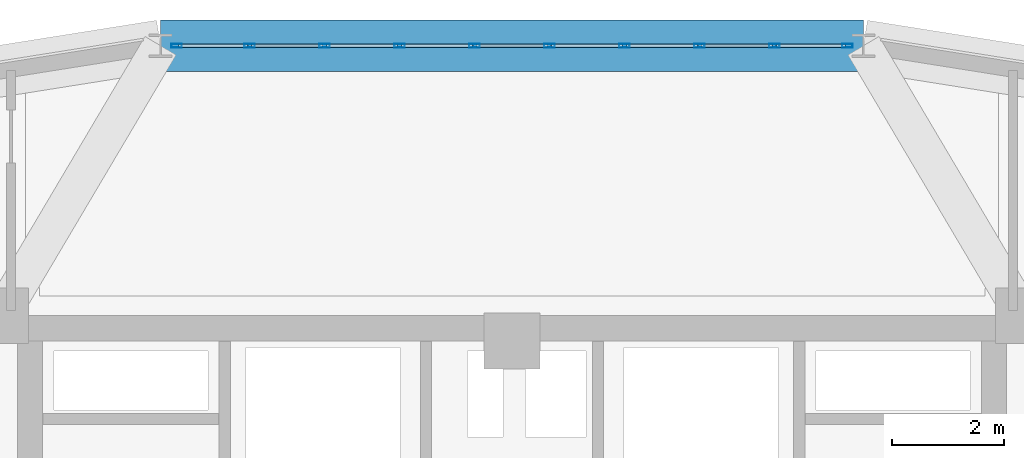
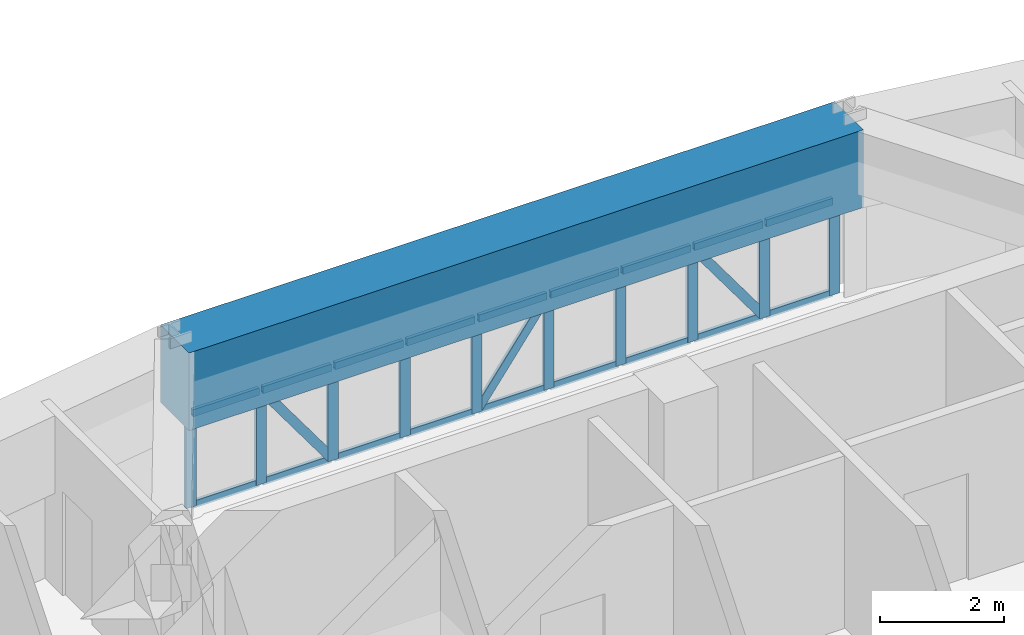
# One storey, part 8 of 13: 31 members, 1 beam, 1 element without a shape of its own.
"""IFC4 building model written with IfcOpenShell, lengths in metres."""

from ifc_helpers import new_model, si_unit, derived_unit, direction, frame, origin, origin_2d, place, context, subcontext, project, spatial, rectangle, hollow_rectangle, extrude, source, transform, mapped, material, layer, layer_set, material_profile, profile_set, type_object, element, aggregate, save


model = new_model("IFC4")

# Units and contexts
model_context = context("Model", 3, precision=1e-05, world=origin(), true_north=direction((0.0, 1.0)))
body_context = subcontext(model_context, "Body", "Model", "MODEL_VIEW")
ifc_project = project(units=[si_unit("LENGTHUNIT", "METRE"), si_unit("AREAUNIT", "SQUARE_METRE"), si_unit("VOLUMEUNIT", "CUBIC_METRE"), si_unit("PLANEANGLEUNIT", "RADIAN"), si_unit("MASSUNIT", "GRAM", prefix="KILO"), derived_unit("THERMALTRANSMITTANCEUNIT", [(si_unit("POWERUNIT", "WATT"), 1), (si_unit("LENGTHUNIT", "METRE"), -2), (si_unit("THERMODYNAMICTEMPERATUREUNIT", "KELVIN"), -1)])], contexts=[model_context])

# Site, building, storey
site_placement = place(None, origin())
site = spatial("IfcSite", under=ifc_project, at=site_placement, CompositionType="ELEMENT")
building_placement = place(site_placement, origin())
building = spatial("IfcBuilding", under=site, at=building_placement, Name="Korsvarv Bourse and Concert Hall", CompositionType="ELEMENT")
storey_placement = place(building_placement, frame((0.0, 0.0, 179.39990234375)))
storey = spatial("IfcBuildingStorey", under=building, at=storey_placement, Name="L46", CompositionType="ELEMENT", Elevation=179.39990234375)

# Beam
ifc_material_1 = material(Name="Concrete C50/60", Category="concrete")
ifc_material_profile_1 = material_profile(ifc_material_1, rectangle(XDim=0.919921875, YDim=1.530029296875, at=origin_2d()), Name="RC-BM 920x1530")
ifc_profile_set_1 = profile_set([ifc_material_profile_1], Name="Concrete C50/60")
beam_type = type_object("IfcBeamType", Name="BM-TR-154", PredefinedType="BEAM", material=ifc_profile_set_1)
shared_shape_1 = source(origin(), body_context, "Body", "SweptSolid", [
    extrude(rectangle(XDim=0.919921875, YDim=1.530029296875, at=origin_2d()), origin(), (0.0, 0.0, 1.0), 12.57861328125),
])
beam_placement = place(storey_placement, frame((42.289306640625, 52.082275390625, 2.635009765625), z_axis=(-1.0, 0.0, 0.0), x_axis=(0.0, -1.0, 0.0)))
element("IfcBeam", 1, at=beam_placement, inside=storey, type_object=beam_type, Name="L46 beam B-TR6", PredefinedType="BEAM", context=body_context, shape_type="MappedRepresentation", body=[
    mapped(shared_shape_1, transform((0.0, 0.0, 0.0), scale=1.0)),
])

# Curtain wall, members
ifc_material_2 = material(Name="Anodised aluminium and triple low-E glazing", Category="glass")
ifc_layer = layer(ifc_material_2, 0.199951171875)
ifc_layer_set = layer_set([ifc_layer], Name="Anodised aluminium and triple low-E glazing")
curtain_wall_type = type_object("IfcCurtainWallType", Name="CW-SYS-3", PredefinedType="NOTDEFINED", material=ifc_layer_set)
curtain_wall_placement = place(storey_placement, origin())
curtain_wall = element("IfcCurtainWall", 2, at=curtain_wall_placement, inside=storey, type_object=curtain_wall_type, Name="L46 CW3 curtain wall CW-L46-F03", PredefinedType="NOTDEFINED")
ifc_material_3 = material(Name="Extruded aluminium EN AW-6063 T66", Category="aluminium")
ifc_material_profile_2 = material_profile(ifc_material_3, hollow_rectangle(XDim=0.070068359375, YDim=0.18994140625, WallThickness=0.0048828125, at=origin_2d()), Name="ALU-M 70x190")
ifc_profile_set_2 = profile_set([ifc_material_profile_2], Name="Extruded aluminium EN AW-6063 T66")
member_type_1 = type_object("IfcMemberType", Name="CWM-190", PredefinedType="MULLION", material=ifc_profile_set_2)
shared_shape_2 = source(origin(), body_context, "Body", "SweptSolid", [
    extrude(hollow_rectangle(XDim=0.070068359375, YDim=0.18994140625, WallThickness=0.0048828125, at=origin_2d()), origin(), (0.0, 0.0, 1.0), 1.8701171875),
])
member_1_placement = place(storey_placement, frame((42.001220703125, 52.082275390625, 0.0), z_axis=(0.0, 0.0, 1.0), x_axis=(0.0, -1.0, 0.0)))
member_1 = element("IfcMember", 3, at=member_1_placement, type_object=member_type_1, Name="CW3 mullion 1", PredefinedType="MULLION", context=body_context, shape_type="MappedRepresentation", body=[
    mapped(shared_shape_2, transform((0.0, 0.0, 0.0), scale=1.0)),
])
member_2_placement = place(storey_placement, frame((40.69482421875, 52.082275390625, 0.0), z_axis=(0.0, 0.0, 1.0), x_axis=(0.0, -1.0, 0.0)))
member_2 = element("IfcMember", 4, at=member_2_placement, type_object=member_type_1, Name="CW3 mullion 2", PredefinedType="MULLION", context=body_context, shape_type="MappedRepresentation", body=[
    mapped(shared_shape_2, transform((0.0, 0.0, 0.0), scale=1.0)),
])
member_3_placement = place(storey_placement, frame((39.353515625, 52.082275390625, 0.0), z_axis=(0.0, 0.0, 1.0), x_axis=(0.0, -1.0, 0.0)))
member_3 = element("IfcMember", 5, at=member_3_placement, type_object=member_type_1, Name="CW3 mullion 3", PredefinedType="MULLION", context=body_context, shape_type="MappedRepresentation", body=[
    mapped(shared_shape_2, transform((0.0, 0.0, 0.0), scale=1.0)),
])
member_4_placement = place(storey_placement, frame((38.01220703125, 52.082275390625, 0.0), z_axis=(0.0, 0.0, 1.0), x_axis=(0.0, -1.0, 0.0)))
member_4 = element("IfcMember", 6, at=member_4_placement, type_object=member_type_1, Name="CW3 mullion 4", PredefinedType="MULLION", context=body_context, shape_type="MappedRepresentation", body=[
    mapped(shared_shape_2, transform((0.0, 0.0, 0.0), scale=1.0)),
])
member_5_placement = place(storey_placement, frame((36.670654296875, 52.082275390625, 0.0), z_axis=(0.0, 0.0, 1.0), x_axis=(0.0, -1.0, 0.0)))
member_5 = element("IfcMember", 7, at=member_5_placement, type_object=member_type_1, Name="CW3 mullion 5", PredefinedType="MULLION", context=body_context, shape_type="MappedRepresentation", body=[
    mapped(shared_shape_2, transform((0.0, 0.0, 0.0), scale=1.0)),
])
member_6_placement = place(storey_placement, frame((35.329345703125, 52.082275390625, 0.0), z_axis=(0.0, 0.0, 1.0), x_axis=(0.0, -1.0, 0.0)))
member_6 = element("IfcMember", 8, at=member_6_placement, type_object=member_type_1, Name="CW3 mullion 6", PredefinedType="MULLION", context=body_context, shape_type="MappedRepresentation", body=[
    mapped(shared_shape_2, transform((0.0, 0.0, 0.0), scale=1.0)),
])
member_7_placement = place(storey_placement, frame((33.98779296875, 52.082275390625, 0.0), z_axis=(0.0, 0.0, 1.0), x_axis=(0.0, -1.0, 0.0)))
member_7 = element("IfcMember", 9, at=member_7_placement, type_object=member_type_1, Name="CW3 mullion 7", PredefinedType="MULLION", context=body_context, shape_type="MappedRepresentation", body=[
    mapped(shared_shape_2, transform((0.0, 0.0, 0.0), scale=1.0)),
])
member_8_placement = place(storey_placement, frame((32.646484375, 52.082275390625, 0.0), z_axis=(0.0, 0.0, 1.0), x_axis=(0.0, -1.0, 0.0)))
member_8 = element("IfcMember", 10, at=member_8_placement, type_object=member_type_1, Name="CW3 mullion 8", PredefinedType="MULLION", context=body_context, shape_type="MappedRepresentation", body=[
    mapped(shared_shape_2, transform((0.0, 0.0, 0.0), scale=1.0)),
])
member_9_placement = place(storey_placement, frame((31.30517578125, 52.082275390625, 0.0), z_axis=(0.0, 0.0, 1.0), x_axis=(0.0, -1.0, 0.0)))
member_9 = element("IfcMember", 11, at=member_9_placement, type_object=member_type_1, Name="CW3 mullion 9", PredefinedType="MULLION", context=body_context, shape_type="MappedRepresentation", body=[
    mapped(shared_shape_2, transform((0.0, 0.0, 0.0), scale=1.0)),
])
member_10_placement = place(storey_placement, frame((29.998779296875, 52.082275390625, 0.0), z_axis=(0.0, 0.0, 1.0), x_axis=(0.0, -1.0, 0.0)))
member_10 = element("IfcMember", 12, at=member_10_placement, type_object=member_type_1, Name="CW3 mullion 10", PredefinedType="MULLION", context=body_context, shape_type="MappedRepresentation", body=[
    mapped(shared_shape_2, transform((0.0, 0.0, 0.0), scale=1.0)),
])
ifc_material_profile_3 = material_profile(ifc_material_3, hollow_rectangle(XDim=0.06494140625, YDim=0.139892578125, WallThickness=0.00390625, at=origin_2d()), Name="ALU-T 65x140")
ifc_profile_set_3 = profile_set([ifc_material_profile_3], Name="Extruded aluminium EN AW-6063 T66")
member_type_2 = type_object("IfcMemberType", Name="CWT-140", PredefinedType="USERDEFINED", material=ifc_profile_set_3)
shared_shape_3 = source(origin(), body_context, "Body", "SweptSolid", [
    extrude(hollow_rectangle(XDim=0.06494140625, YDim=0.139892578125, WallThickness=0.00390625, at=origin_2d()), origin(), (0.0, 0.0, 1.0), 1.236328125),
])
member_11_placement = place(storey_placement, frame((41.96630859375, 52.082275390625, 0.03271484375), z_axis=(-1.0, 0.0, 0.0), x_axis=(0.0, -1.0, 0.0)))
member_11 = element("IfcMember", 13, at=member_11_placement, type_object=member_type_2, Name="CW3 transom 1.1", ObjectType="TRANSOM", PredefinedType="USERDEFINED", context=body_context, shape_type="MappedRepresentation", body=[
    mapped(shared_shape_3, transform((0.0, 0.0, 0.0), scale=1.0)),
])
member_12_placement = place(storey_placement, frame((41.96630859375, 52.082275390625, 1.837646484375), z_axis=(-1.0, 0.0, 0.0), x_axis=(0.0, -1.0, 0.0)))
member_12 = element("IfcMember", 14, at=member_12_placement, type_object=member_type_2, Name="CW3 transom 1.2", ObjectType="TRANSOM", PredefinedType="USERDEFINED", context=body_context, shape_type="MappedRepresentation", body=[
    mapped(shared_shape_3, transform((0.0, 0.0, 0.0), scale=1.0)),
])
member_13_placement = place(storey_placement, frame((31.27001953125, 52.082275390625, 0.03271484375), z_axis=(-1.0, 0.0, 0.0), x_axis=(0.0, -1.0, 0.0)))
member_13 = element("IfcMember", 15, at=member_13_placement, type_object=member_type_2, Name="CW3 transom 9.1", ObjectType="TRANSOM", PredefinedType="USERDEFINED", context=body_context, shape_type="MappedRepresentation", body=[
    mapped(shared_shape_3, transform((0.0, 0.0, 0.0), scale=1.0)),
])
member_14_placement = place(storey_placement, frame((31.27001953125, 52.082275390625, 1.837646484375), z_axis=(-1.0, 0.0, 0.0), x_axis=(0.0, -1.0, 0.0)))
member_14 = element("IfcMember", 16, at=member_14_placement, type_object=member_type_2, Name="CW3 transom 9.2", ObjectType="TRANSOM", PredefinedType="USERDEFINED", context=body_context, shape_type="MappedRepresentation", body=[
    mapped(shared_shape_3, transform((0.0, 0.0, 0.0), scale=1.0)),
])
shared_shape_4 = source(origin(), body_context, "Body", "SweptSolid", [
    extrude(hollow_rectangle(XDim=0.06494140625, YDim=0.139892578125, WallThickness=0.00390625, at=origin_2d()), origin(), (0.0, 0.0, 1.0), 1.271484375),
])
member_15_placement = place(storey_placement, frame((40.659912109375, 52.082275390625, 0.03271484375), z_axis=(-1.0, 0.0, 0.0), x_axis=(0.0, -1.0, 0.0)))
member_15 = element("IfcMember", 17, at=member_15_placement, type_object=member_type_2, Name="CW3 transom 2.1", ObjectType="TRANSOM", PredefinedType="USERDEFINED", context=body_context, shape_type="MappedRepresentation", body=[
    mapped(shared_shape_4, transform((0.0, 0.0, 0.0), scale=1.0)),
])
member_16_placement = place(storey_placement, frame((40.659912109375, 52.082275390625, 1.837646484375), z_axis=(-1.0, 0.0, 0.0), x_axis=(0.0, -1.0, 0.0)))
member_16 = element("IfcMember", 18, at=member_16_placement, type_object=member_type_2, Name="CW3 transom 2.2", ObjectType="TRANSOM", PredefinedType="USERDEFINED", context=body_context, shape_type="MappedRepresentation", body=[
    mapped(shared_shape_4, transform((0.0, 0.0, 0.0), scale=1.0)),
])
member_17_placement = place(storey_placement, frame((39.318603515625, 52.082275390625, 0.03271484375), z_axis=(-1.0, 0.0, 0.0), x_axis=(0.0, -1.0, 0.0)))
member_17 = element("IfcMember", 19, at=member_17_placement, type_object=member_type_2, Name="CW3 transom 3.1", ObjectType="TRANSOM", PredefinedType="USERDEFINED", context=body_context, shape_type="MappedRepresentation", body=[
    mapped(shared_shape_4, transform((0.0, 0.0, 0.0), scale=1.0)),
])
member_18_placement = place(storey_placement, frame((39.318603515625, 52.082275390625, 1.837646484375), z_axis=(-1.0, 0.0, 0.0), x_axis=(0.0, -1.0, 0.0)))
member_18 = element("IfcMember", 20, at=member_18_placement, type_object=member_type_2, Name="CW3 transom 3.2", ObjectType="TRANSOM", PredefinedType="USERDEFINED", context=body_context, shape_type="MappedRepresentation", body=[
    mapped(shared_shape_4, transform((0.0, 0.0, 0.0), scale=1.0)),
])
member_19_placement = place(storey_placement, frame((36.6357421875, 52.082275390625, 0.03271484375), z_axis=(-1.0, 0.0, 0.0), x_axis=(0.0, -1.0, 0.0)))
member_19 = element("IfcMember", 21, at=member_19_placement, type_object=member_type_2, Name="CW3 transom 5.1", ObjectType="TRANSOM", PredefinedType="USERDEFINED", context=body_context, shape_type="MappedRepresentation", body=[
    mapped(shared_shape_4, transform((0.0, 0.0, 0.0), scale=1.0)),
])
member_20_placement = place(storey_placement, frame((36.6357421875, 52.082275390625, 1.837646484375), z_axis=(-1.0, 0.0, 0.0), x_axis=(0.0, -1.0, 0.0)))
member_20 = element("IfcMember", 22, at=member_20_placement, type_object=member_type_2, Name="CW3 transom 5.2", ObjectType="TRANSOM", PredefinedType="USERDEFINED", context=body_context, shape_type="MappedRepresentation", body=[
    mapped(shared_shape_4, transform((0.0, 0.0, 0.0), scale=1.0)),
])
member_21_placement = place(storey_placement, frame((33.952880859375, 52.082275390625, 0.03271484375), z_axis=(-1.0, 0.0, 0.0), x_axis=(0.0, -1.0, 0.0)))
member_21 = element("IfcMember", 23, at=member_21_placement, type_object=member_type_2, Name="CW3 transom 7.1", ObjectType="TRANSOM", PredefinedType="USERDEFINED", context=body_context, shape_type="MappedRepresentation", body=[
    mapped(shared_shape_4, transform((0.0, 0.0, 0.0), scale=1.0)),
])
member_22_placement = place(storey_placement, frame((33.952880859375, 52.082275390625, 1.837646484375), z_axis=(-1.0, 0.0, 0.0), x_axis=(0.0, -1.0, 0.0)))
member_22 = element("IfcMember", 24, at=member_22_placement, type_object=member_type_2, Name="CW3 transom 7.2", ObjectType="TRANSOM", PredefinedType="USERDEFINED", context=body_context, shape_type="MappedRepresentation", body=[
    mapped(shared_shape_4, transform((0.0, 0.0, 0.0), scale=1.0)),
])
member_23_placement = place(storey_placement, frame((32.611572265625, 52.082275390625, 0.03271484375), z_axis=(-1.0, 0.0, 0.0), x_axis=(0.0, -1.0, 0.0)))
member_23 = element("IfcMember", 25, at=member_23_placement, type_object=member_type_2, Name="CW3 transom 8.1", ObjectType="TRANSOM", PredefinedType="USERDEFINED", context=body_context, shape_type="MappedRepresentation", body=[
    mapped(shared_shape_4, transform((0.0, 0.0, 0.0), scale=1.0)),
])
member_24_placement = place(storey_placement, frame((32.611572265625, 52.082275390625, 1.837646484375), z_axis=(-1.0, 0.0, 0.0), x_axis=(0.0, -1.0, 0.0)))
member_24 = element("IfcMember", 26, at=member_24_placement, type_object=member_type_2, Name="CW3 transom 8.2", ObjectType="TRANSOM", PredefinedType="USERDEFINED", context=body_context, shape_type="MappedRepresentation", body=[
    mapped(shared_shape_4, transform((0.0, 0.0, 0.0), scale=1.0)),
])
ifc_material_profile_4 = material_profile(ifc_material_3, hollow_rectangle(XDim=0.06494140625, YDim=0.1650390625, WallThickness=0.0048828125, at=origin_2d()), Name="ALU-M 65x165")
ifc_profile_set_4 = profile_set([ifc_material_profile_4], Name="Extruded aluminium EN AW-6063 T66")
member_type_3 = type_object("IfcMemberType", Name="CWM-165", PredefinedType="MULLION", material=ifc_profile_set_4)
shared_shape_5 = source(origin(), body_context, "Body", "SweptSolid", [
    extrude(hollow_rectangle(XDim=0.06494140625, YDim=0.1650390625, WallThickness=0.0048828125, at=origin_2d()), origin(), (0.0, 0.0, 1.0), 2.155029296875),
])
member_25_placement = place(storey_placement, frame((40.659912109375, 52.082275390625, 0.065185546875), z_axis=(-0.59000238732, 0.0, 0.807401500467), x_axis=(0.0, -1.0, 0.0)))
member_25 = element("IfcMember", 27, at=member_25_placement, type_object=member_type_3, Name="CW3 diagonal mullion 2", PredefinedType="MULLION", context=body_context, shape_type="MappedRepresentation", body=[
    mapped(shared_shape_5, transform((0.0, 0.0, 0.0), scale=1.0)),
])
member_26_placement = place(storey_placement, frame((35.3642578125, 52.082275390625, 0.065185546875), z_axis=(0.59000238732, 0.0, 0.807401500467), x_axis=(0.0, 1.0, 0.0)))
member_26 = element("IfcMember", 28, at=member_26_placement, type_object=member_type_3, Name="CW3 diagonal mullion 5", PredefinedType="MULLION", context=body_context, shape_type="MappedRepresentation", body=[
    mapped(shared_shape_5, transform((0.0, 0.0, 0.0), scale=1.0)),
])
member_27_placement = place(storey_placement, frame((32.611572265625, 52.082275390625, 0.065185546875), z_axis=(-0.59000238732, 0.0, 0.807401500467), x_axis=(0.0, -1.0, 0.0)))
member_27 = element("IfcMember", 29, at=member_27_placement, type_object=member_type_3, Name="CW3 diagonal mullion 8", PredefinedType="MULLION", context=body_context, shape_type="MappedRepresentation", body=[
    mapped(shared_shape_5, transform((0.0, 0.0, 0.0), scale=1.0)),
])
shared_shape_6 = source(origin(), body_context, "Body", "SweptSolid", [
    extrude(hollow_rectangle(XDim=0.06494140625, YDim=0.139892578125, WallThickness=0.00390625, at=origin_2d()), origin(), (0.0, 0.0, 1.0), 1.271240234375),
])
member_28_placement = place(storey_placement, frame((37.97705078125, 52.082275390625, 0.03271484375), z_axis=(-1.0, 0.0, 0.0), x_axis=(0.0, -1.0, 0.0)))
member_28 = element("IfcMember", 30, at=member_28_placement, type_object=member_type_2, Name="CW3 transom 4.1", ObjectType="TRANSOM", PredefinedType="USERDEFINED", context=body_context, shape_type="MappedRepresentation", body=[
    mapped(shared_shape_6, transform((0.0, 0.0, 0.0), scale=1.0)),
])
member_29_placement = place(storey_placement, frame((37.97705078125, 52.082275390625, 1.837646484375), z_axis=(-1.0, 0.0, 0.0), x_axis=(0.0, -1.0, 0.0)))
member_29 = element("IfcMember", 31, at=member_29_placement, type_object=member_type_2, Name="CW3 transom 4.2", ObjectType="TRANSOM", PredefinedType="USERDEFINED", context=body_context, shape_type="MappedRepresentation", body=[
    mapped(shared_shape_6, transform((0.0, 0.0, 0.0), scale=1.0)),
])
member_30_placement = place(storey_placement, frame((35.294189453125, 52.082275390625, 0.03271484375), z_axis=(-1.0, 0.0, 0.0), x_axis=(0.0, -1.0, 0.0)))
member_30 = element("IfcMember", 32, at=member_30_placement, type_object=member_type_2, Name="CW3 transom 6.1", ObjectType="TRANSOM", PredefinedType="USERDEFINED", context=body_context, shape_type="MappedRepresentation", body=[
    mapped(shared_shape_6, transform((0.0, 0.0, 0.0), scale=1.0)),
])
member_31_placement = place(storey_placement, frame((35.294189453125, 52.082275390625, 1.837646484375), z_axis=(-1.0, 0.0, 0.0), x_axis=(0.0, -1.0, 0.0)))
member_31 = element("IfcMember", 33, at=member_31_placement, type_object=member_type_2, Name="CW3 transom 6.2", ObjectType="TRANSOM", PredefinedType="USERDEFINED", context=body_context, shape_type="MappedRepresentation", body=[
    mapped(shared_shape_6, transform((0.0, 0.0, 0.0), scale=1.0)),
])
aggregate(curtain_wall, [member_1, member_2, member_3, member_4, member_5, member_6, member_7, member_8, member_9, member_10, member_11, member_12, member_15, member_16, member_25, member_17, member_18, member_28, member_29, member_19, member_20, member_26, member_30, member_31, member_21, member_22, member_23, member_24, member_27, member_13, member_14])

save(model, "model.ifc")
